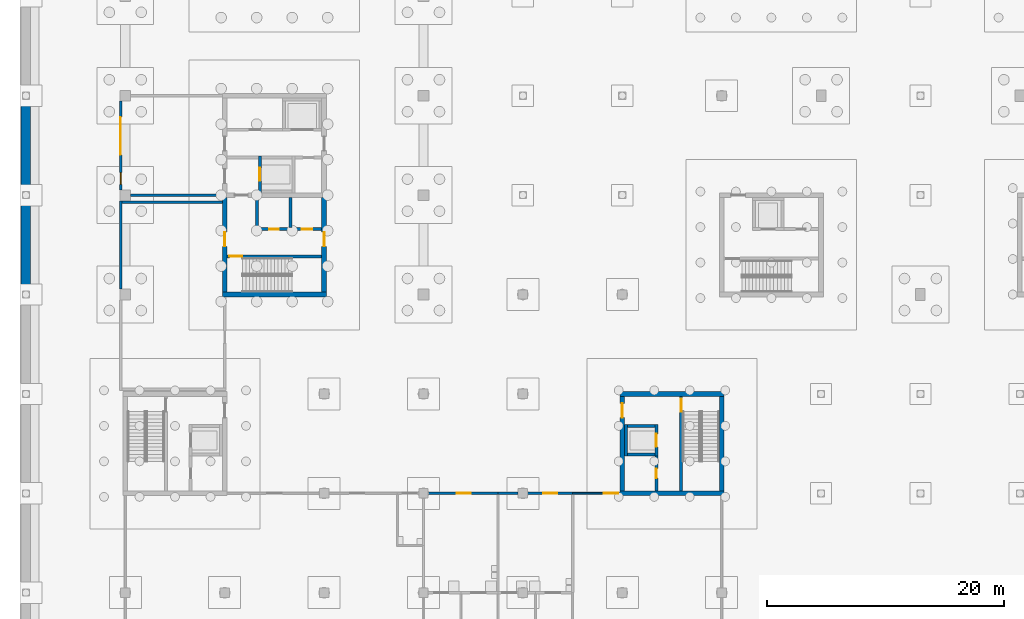
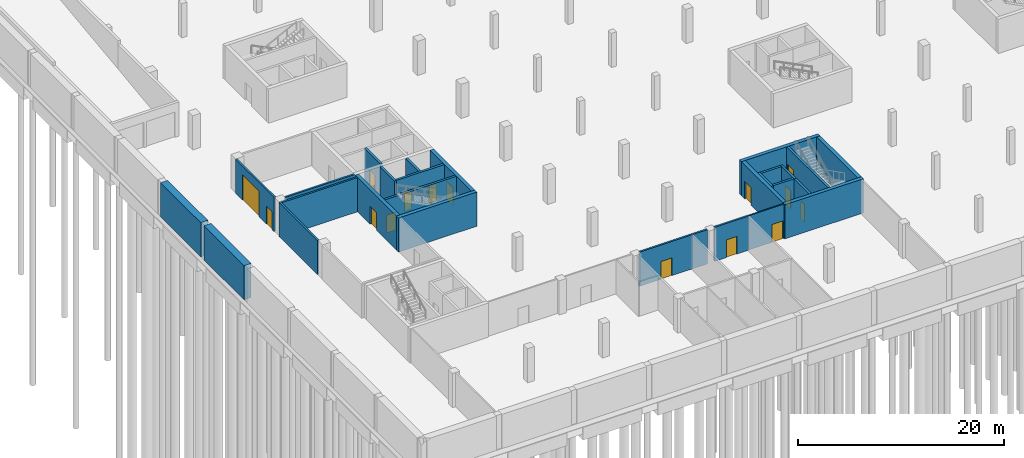
# One storey, part 9 of 23: 28 walls, 15 doors, 15 openings.
"""IFC4 building model written with IfcOpenShell, lengths in metres."""

from ifc_helpers import new_model, si_unit, direction, frame, frame_2d, origin, place, context, subcontext, project, spatial, rectangle, extrude, material, layer, layer_set, type_object, element, fill, save


model = new_model("IFC4")

# Units and contexts
model_context = context("Model", 3, precision=1e-05, world=origin(), true_north=direction((0.0, 1.0)))
body_context = subcontext(model_context, "Body", "Model", "MODEL_VIEW")
ifc_project = project(units=[si_unit("LENGTHUNIT", "METRE"), si_unit("AREAUNIT", "SQUARE_METRE"), si_unit("VOLUMEUNIT", "CUBIC_METRE"), si_unit("PLANEANGLEUNIT", "RADIAN"), si_unit("MASSUNIT", "GRAM", prefix="KILO")], contexts=[model_context])

# Site, building, storey
site_placement = place(None, origin())
site = spatial("IfcSite", under=ifc_project, at=site_placement, CompositionType="ELEMENT")
building_placement = place(site_placement, origin())
building = spatial("IfcBuilding", under=site, at=building_placement, Name="Hlaing Beacon Police Headquarters", CompositionType="ELEMENT")
storey_placement = place(building_placement, frame((0.0, 0.0, -4.5)))
storey = spatial("IfcBuildingStorey", under=building, at=storey_placement, Name="B1", CompositionType="ELEMENT", Elevation=-4.5)

# Wall, opening, door
ifc_material_1 = material(Name="Concrete blockwork 7.5 N/mm2", Category="masonry")
ifc_layer_1 = layer(ifc_material_1, 0.199951171875)
ifc_layer_set_1 = layer_set([ifc_layer_1], Name="Concrete blockwork 7.5 N/mm2")
wall_type_1 = type_object("IfcWallType", Name="Compartment wall EI 60 200", PredefinedType="PARTITIONING", material=ifc_layer_set_1)
wall_1_placement = place(storey_placement, frame((34.0, 16.800048828125, 0.0), z_axis=(0.0, 0.0, 1.0), x_axis=(1.0, 0.0, 0.0)))
wall_1 = element("IfcWall", 1, at=wall_1_placement, inside=storey, type_object=wall_type_1, Name="Compartment wall EI 60 200", PredefinedType="PARTITIONING", context=body_context, shape_type="SweptSolid", body=[
    extrude(rectangle(XDim=5.89990234375, YDim=0.199951171875, at=frame_2d((2.949951171875, 0.0))), origin(), (0.0, 0.0, 1.0), 4.050048828125),
])
opening_1_placement = place(wall_1_placement, frame((2.39990234375, 0.0, 0.0)))
opening_1 = element("IfcOpeningElement", 2, at=opening_1_placement, cuts=wall_1, Name="Opening B1-012", PredefinedType="OPENING", context=body_context, shape_type="SweptSolid", body=[
    extrude(rectangle(XDim=1.199951171875, YDim=2.10009765625, at=frame_2d((0.60009765625, 1.050048828125))), frame((0.0, 0.10986328125, 0.0), z_axis=(0.0, -1.0, 0.0), x_axis=(1.0, 0.0, 0.0)), (0.0, 0.0, 1.0), 0.219970703125),
])
ifc_material_2 = material(Name="Steel fire door leaf", Category="steel")
ifc_layer_2 = layer(ifc_material_2, 0.070068359375)
ifc_layer_set_2 = layer_set([ifc_layer_2], Name="Steel fire door leaf")
door_type_1 = type_object("IfcDoorType", Name="Steel plant door FD60 1200x2100", OperationType="SINGLE_SWING_LEFT", PredefinedType="DOOR", material=ifc_layer_set_2)
door_1_placement = place(opening_1_placement, frame((1.199951171875, 0.0, 0.0), z_axis=(0.0, 0.0, 1.0), x_axis=(-1.0, 0.0, 0.0)))
door_1 = element("IfcDoor", 3, at=door_1_placement, inside=storey, type_object=door_type_1, Name="Door Male Changing Room", OperationType="SINGLE_SWING_LEFT", OverallHeight=2.10009765625, OverallWidth=1.199951171875, PredefinedType="DOOR", context=body_context, shape_type="SweptSolid", body=[
    extrude(rectangle(XDim=1.199951171875, YDim=2.10009765625, at=frame_2d((0.599853515625, 1.050048828125))), frame((0.0, 0.034912109375, 0.0), z_axis=(0.0, -1.0, 0.0), x_axis=(1.0, 0.0, 0.0)), (0.0, 0.0, 1.0), 0.070068359375),
])
fill(opening_1, door_1)

# Wall
wall_2_placement = place(storey_placement, frame((39.89990234375, 16.800048828125, 0.0), z_axis=(0.0, 0.0, 1.0), x_axis=(1.0, 0.0, 0.0)))
element("IfcWall", 4, at=wall_2_placement, inside=storey, type_object=wall_type_1, Name="Compartment wall EI 60 200", PredefinedType="PARTITIONING", context=body_context, shape_type="SweptSolid", body=[
    extrude(rectangle(XDim=1.7001953125, YDim=0.199951171875, at=frame_2d((0.85009765625, 0.0))), origin(), (0.0, 0.0, 1.0), 4.050048828125),
])

# Wall, opening, door
wall_3_placement = place(storey_placement, frame((42.39990234375, 16.800048828125, 0.0), z_axis=(0.0, 0.0, 1.0), x_axis=(1.0, 0.0, 0.0)))
wall_3 = element("IfcWall", 5, at=wall_3_placement, inside=storey, type_object=wall_type_1, Name="Compartment wall EI 60 200", PredefinedType="PARTITIONING", context=body_context, shape_type="SweptSolid", body=[
    extrude(rectangle(XDim=3.800048828125, YDim=0.199951171875, at=frame_2d((1.89990234375, 0.0))), origin(), (0.0, 0.0, 1.0), 4.050048828125),
])
opening_2_placement = place(wall_3_placement, frame((1.300048828125, 0.0, 0.0)))
opening_2 = element("IfcOpeningElement", 6, at=opening_2_placement, cuts=wall_3, Name="Opening B1-015", PredefinedType="OPENING", context=body_context, shape_type="SweptSolid", body=[
    extrude(rectangle(XDim=1.199951171875, YDim=2.10009765625, at=frame_2d((0.60009765625, 1.050048828125))), frame((0.0, 0.10986328125, 0.0), z_axis=(0.0, -1.0, 0.0), x_axis=(1.0, 0.0, 0.0)), (0.0, 0.0, 1.0), 0.219970703125),
])
door_2_placement = place(opening_2_placement, frame((1.199951171875, 0.0, 0.0), z_axis=(0.0, 0.0, 1.0), x_axis=(-1.0, 0.0, 0.0)))
door_2 = element("IfcDoor", 7, at=door_2_placement, inside=storey, type_object=door_type_1, Name="Door Female Changing Room", OperationType="SINGLE_SWING_RIGHT", OverallHeight=2.10009765625, OverallWidth=1.199951171875, PredefinedType="DOOR", context=body_context, shape_type="SweptSolid", body=[
    extrude(rectangle(XDim=1.199951171875, YDim=2.10009765625, at=frame_2d((0.599853515625, 1.050048828125))), frame((0.0, 0.034912109375, 0.0), z_axis=(0.0, -1.0, 0.0), x_axis=(1.0, 0.0, 0.0)), (0.0, 0.0, 1.0), 0.070068359375),
])
fill(opening_2, door_2)

# Walls
ifc_material_3 = material(Name="Concrete C60/75", Category="concrete")
ifc_layer_3 = layer(ifc_material_3, 0.39990234375)
ifc_layer_set_3 = layer_set([ifc_layer_3], Name="Concrete C60/75")
wall_type_2 = type_object("IfcWallType", Name="Core shear wall 400", PredefinedType="SHEAR", material=ifc_layer_set_3)
for number, where, z_axis, x_axis, name in (
    (8, (50.199951171875, 16.800048828125, 0.0), (0.0, 0.0, 1.0), (1.0, 0.0, 0.0), "Core shear wall"),
    (9, (50.199951171875, 25.199951171875, 0.0), (0.0, 0.0, 1.0), (1.0, 0.0, 0.0), "Core shear wall"),
):
    element("IfcWall", number, at=place(storey_placement, frame(where, z_axis=z_axis, x_axis=x_axis)), inside=storey, type_object=wall_type_2, Name=name, PredefinedType="SHEAR", context=body_context, shape_type="SweptSolid", body=[
        extrude(rectangle(XDim=8.800048828125, YDim=0.39990234375, at=frame_2d((4.39990234375, 0.0))), origin(), (0.0, 0.0, 1.0), 4.050048828125),
    ])

# Wall, opening, door
wall_4_placement = place(storey_placement, frame((50.39990234375, 17.0, 0.0), z_axis=(0.0, 0.0, 1.0), x_axis=(0.0, 1.0, 0.0)))
wall_4 = element("IfcWall", 10, at=wall_4_placement, inside=storey, type_object=wall_type_2, Name="Core shear wall", PredefinedType="SHEAR", context=body_context, shape_type="SweptSolid", body=[
    extrude(rectangle(XDim=8.0, YDim=0.39990234375, at=frame_2d((4.0, 0.0))), origin(), (0.0, 0.0, 1.0), 4.050048828125),
])
opening_3_placement = place(wall_4_placement, frame((6.199951171875, 0.0, 0.0)))
opening_3 = element("IfcOpeningElement", 11, at=opening_3_placement, cuts=wall_4, Name="Opening B1-932", PredefinedType="OPENING", context=body_context, shape_type="SweptSolid", body=[
    extrude(rectangle(XDim=1.199951171875, YDim=2.10009765625, at=frame_2d((0.60009765625, 1.050048828125))), frame((0.0, 0.2099609375, 0.0), z_axis=(0.0, -1.0, 0.0), x_axis=(1.0, 0.0, 0.0)), (0.0, 0.0, 1.0), 0.419921875),
])
ifc_material_4 = material(Name="Steel fire door leaf", Category="steel")
ifc_layer_4 = layer(ifc_material_4, 0.070068359375)
ifc_layer_set_4 = layer_set([ifc_layer_4], Name="Steel fire door leaf")
door_type_2 = type_object("IfcDoorType", Name="Steel fire door FD60S 1200x2100", OperationType="SINGLE_SWING_LEFT", PredefinedType="DOOR", material=ifc_layer_set_4)
door_3_placement = place(opening_3_placement, frame((1.199951171875, 0.0, 0.0), z_axis=(0.0, 0.0, 1.0), x_axis=(-1.0, 0.0, 0.0)))
door_3 = element("IfcDoor", 12, at=door_3_placement, inside=storey, type_object=door_type_2, Name="Door Lift and Stair Lobby ST-K Entry", OperationType="SINGLE_SWING_LEFT", OverallHeight=2.10009765625, OverallWidth=1.199951171875, PredefinedType="DOOR", context=body_context, shape_type="SweptSolid", body=[
    extrude(rectangle(XDim=1.199951171875, YDim=2.10009765625, at=frame_2d((0.599853515625, 1.050048828125))), frame((0.0, 0.034912109375, 0.0), z_axis=(0.0, -1.0, 0.0), x_axis=(1.0, 0.0, 0.0)), (0.0, 0.0, 1.0), 0.070068359375),
])
fill(opening_3, door_3)

# Walls
wall_5_placement = place(storey_placement, frame((58.800048828125, 17.0, 0.0), z_axis=(0.0, 0.0, 1.0), x_axis=(0.0, 1.0, 0.0)))
element("IfcWall", 13, at=wall_5_placement, inside=storey, type_object=wall_type_2, Name="Core shear wall", PredefinedType="SHEAR", context=body_context, shape_type="SweptSolid", body=[
    extrude(rectangle(XDim=8.0, YDim=0.39990234375, at=frame_2d((4.0, 0.0))), origin(), (0.0, 0.0, 1.0), 4.050048828125),
])
wall_6_placement = place(storey_placement, frame((16.60009765625, 33.60009765625, 0.0), z_axis=(0.0, 0.0, 1.0), x_axis=(1.0, 0.0, 0.0)))
element("IfcWall", 14, at=wall_6_placement, inside=storey, type_object=wall_type_2, Name="Core shear wall", PredefinedType="SHEAR", context=body_context, shape_type="SweptSolid", body=[
    extrude(rectangle(XDim=8.7998046875, YDim=0.39990234375, at=frame_2d((4.39990234375, 0.0))), origin(), (0.0, 0.0, 1.0), 4.050048828125),
])

# Wall, opening, door
wall_7_placement = place(storey_placement, frame((16.800048828125, 33.800048828125, 0.0), z_axis=(0.0, 0.0, 1.0), x_axis=(0.0, 1.0, 0.0)))
wall_7 = element("IfcWall", 15, at=wall_7_placement, inside=storey, type_object=wall_type_2, Name="Core shear wall", PredefinedType="SHEAR", context=body_context, shape_type="SweptSolid", body=[
    extrude(rectangle(XDim=8.0, YDim=0.39990234375, at=frame_2d((4.0, 0.0))), origin(), (0.0, 0.0, 1.0), 4.050048828125),
])
opening_4_placement = place(wall_7_placement, frame((3.875, 0.0, 0.0)))
opening_4 = element("IfcOpeningElement", 16, at=opening_4_placement, cuts=wall_7, Name="Opening B1-962", PredefinedType="OPENING", context=body_context, shape_type="SweptSolid", body=[
    extrude(rectangle(XDim=1.199951171875, YDim=2.10009765625, at=frame_2d((0.60009765625, 1.050048828125))), frame((0.0, 0.2099609375, 0.0), z_axis=(0.0, -1.0, 0.0), x_axis=(1.0, 0.0, 0.0)), (0.0, 0.0, 1.0), 0.419921875),
])
door_4_placement = place(opening_4_placement, frame((1.199951171875, 0.0, 0.0), z_axis=(0.0, 0.0, 1.0), x_axis=(-1.0, 0.0, 0.0)))
door_4 = element("IfcDoor", 17, at=door_4_placement, inside=storey, type_object=door_type_2, Name="Door Stair Lobby ST-N Entry", OperationType="SINGLE_SWING_RIGHT", OverallHeight=2.10009765625, OverallWidth=1.199951171875, PredefinedType="DOOR", context=body_context, shape_type="SweptSolid", body=[
    extrude(rectangle(XDim=1.199951171875, YDim=2.10009765625, at=frame_2d((0.599853515625, 1.050048828125))), frame((0.0, 0.034912109375, 0.0), z_axis=(0.0, -1.0, 0.0), x_axis=(1.0, 0.0, 0.0)), (0.0, 0.0, 1.0), 0.070068359375),
])
fill(opening_4, door_4)

wall_8_placement = place(storey_placement, frame((25.199951171875, 33.800048828125, 0.0), z_axis=(0.0, 0.0, 1.0), x_axis=(0.0, 1.0, 0.0)))
wall_8 = element("IfcWall", 18, at=wall_8_placement, inside=storey, type_object=wall_type_2, Name="Core shear wall", PredefinedType="SHEAR", context=body_context, shape_type="SweptSolid", body=[
    extrude(rectangle(XDim=8.0, YDim=0.39990234375, at=frame_2d((4.0, 0.0))), origin(), (0.0, 0.0, 1.0), 4.050048828125),
])
opening_5_placement = place(wall_8_placement, frame((3.875, 0.0, 0.0)))
opening_5 = element("IfcOpeningElement", 19, at=opening_5_placement, cuts=wall_8, Name="Opening B1-963", PredefinedType="OPENING", context=body_context, shape_type="SweptSolid", body=[
    extrude(rectangle(XDim=1.199951171875, YDim=2.10009765625, at=frame_2d((0.60009765625, 1.050048828125))), frame((0.0, 0.2099609375, 0.0), z_axis=(0.0, -1.0, 0.0), x_axis=(1.0, 0.0, 0.0)), (0.0, 0.0, 1.0), 0.419921875),
])
door_5_placement = place(opening_5_placement, origin())
door_5 = element("IfcDoor", 20, at=door_5_placement, inside=storey, type_object=door_type_2, Name="Door Stair Lobby ST-N Entry", OperationType="SINGLE_SWING_LEFT", OverallHeight=2.10009765625, OverallWidth=1.199951171875, PredefinedType="DOOR", context=body_context, shape_type="SweptSolid", body=[
    extrude(rectangle(XDim=1.199951171875, YDim=2.10009765625, at=frame_2d((0.60009765625, 1.050048828125))), frame((0.0, 0.03515625, 0.0), z_axis=(0.0, -1.0, 0.0), x_axis=(1.0, 0.0, 0.0)), (0.0, 0.0, 1.0), 0.070068359375),
])
fill(opening_5, door_5)

ifc_material_5 = material(Name="Gypsum board partition")
ifc_layer_5 = layer(ifc_material_5, 0.14990234375)
ifc_layer_set_5 = layer_set([ifc_layer_5], Name="Gypsum board partition")
wall_type_3 = type_object("IfcWallType", Name="Corridor wall EI 30 150", PredefinedType="PARTITIONING", material=ifc_layer_set_5)
wall_9_placement = place(storey_placement, frame((46.199951171875, 16.800048828125, 0.0), z_axis=(0.0, 0.0, 1.0), x_axis=(1.0, 0.0, 0.0)))
wall_9 = element("IfcWall", 21, at=wall_9_placement, inside=storey, type_object=wall_type_3, Name="Corridor wall EI 30 150", PredefinedType="PARTITIONING", context=body_context, shape_type="SweptSolid", body=[
    extrude(rectangle(XDim=4.0, YDim=0.14990234375, at=frame_2d((2.0, 0.0))), origin(), (0.0, 0.0, 1.0), 4.050048828125),
])
opening_6_placement = place(wall_9_placement, frame((2.64990234375, 0.0, 0.0)))
opening_6 = element("IfcOpeningElement", 22, at=opening_6_placement, cuts=wall_9, Name="Opening B1-018", PredefinedType="OPENING", context=body_context, shape_type="SweptSolid", body=[
    extrude(rectangle(XDim=1.199951171875, YDim=2.10009765625, at=frame_2d((0.60009765625, 1.050048828125))), frame((0.0, 0.0849609375, 0.0), z_axis=(0.0, -1.0, 0.0), x_axis=(1.0, 0.0, 0.0)), (0.0, 0.0, 1.0), 0.169921875),
])
ifc_material_6 = material(Name="Steel fire door leaf", Category="steel")
ifc_layer_6 = layer(ifc_material_6, 0.06005859375)
ifc_layer_set_6 = layer_set([ifc_layer_6], Name="Steel fire door leaf")
door_type_3 = type_object("IfcDoorType", Name="Steel plant door FD30S 1200x2100", OperationType="SINGLE_SWING_LEFT", PredefinedType="DOOR", material=ifc_layer_set_6)
door_6_placement = place(opening_6_placement, frame((1.199951171875, 0.0, 0.0), z_axis=(0.0, 0.0, 1.0), x_axis=(-1.0, 0.0, 0.0)))
door_6 = element("IfcDoor", 23, at=door_6_placement, inside=storey, type_object=door_type_3, Name="Door Waste and Recycling Room", OperationType="SINGLE_SWING_RIGHT", OverallHeight=2.10009765625, OverallWidth=1.199951171875, PredefinedType="DOOR", context=body_context, shape_type="SweptSolid", body=[
    extrude(rectangle(XDim=1.199951171875, YDim=2.10009765625, at=frame_2d((0.599853515625, 1.050048828125))), frame((0.0, 0.030029296875, 0.0), z_axis=(0.0, -1.0, 0.0), x_axis=(1.0, 0.0, 0.0)), (0.0, 0.0, 1.0), 0.06005859375),
])
fill(opening_6, door_6)

# Wall, openings, doors
ifc_material_7 = material(Name="Concrete blockwork 7.5 N/mm2", Category="masonry")
ifc_layer_7 = layer(ifc_material_7, 0.199951171875)
ifc_layer_set_7 = layer_set([ifc_layer_7], Name="Concrete blockwork 7.5 N/mm2")
wall_type_4 = type_object("IfcWallType", Name="Evidence store wall EI 60 200", PredefinedType="PARTITIONING", material=ifc_layer_set_7)
wall_10_placement = place(storey_placement, frame((8.0, 42.449951171875, 0.0), z_axis=(0.0, 0.0, 1.0), x_axis=(0.0, 1.0, 0.0)))
wall_10 = element("IfcWall", 24, at=wall_10_placement, inside=storey, type_object=wall_type_4, Name="Evidence store wall EI 60 200", PredefinedType="PARTITIONING", context=body_context, shape_type="SweptSolid", body=[
    extrude(rectangle(XDim=7.5, YDim=0.199951171875, at=frame_2d((3.75, 0.0))), origin(), (0.0, 0.0, 1.0), 4.050048828125),
])
opening_7_placement = place(wall_10_placement, frame((0.449951171875, 0.0, 0.0)))
opening_7 = element("IfcOpeningElement", 25, at=opening_7_placement, cuts=wall_10, Name="Opening B1-019", PredefinedType="OPENING", context=body_context, shape_type="SweptSolid", body=[
    extrude(rectangle(XDim=1.0, YDim=2.10009765625, at=frame_2d((0.5, 1.050048828125))), frame((0.0, 0.10986328125, 0.0), z_axis=(0.0, -1.0, 0.0), x_axis=(1.0, 0.0, 0.0)), (0.0, 0.0, 1.0), 0.219970703125),
])
opening_8_placement = place(wall_10_placement, frame((2.949951171875, 0.0, 0.0)))
opening_8 = element("IfcOpeningElement", 26, at=opening_8_placement, cuts=wall_10, Name="Opening B1-026", PredefinedType="OPENING", context=body_context, shape_type="SweptSolid", body=[
    extrude(rectangle(XDim=3.199951171875, YDim=3.0, at=frame_2d((1.60009765625, 1.5))), frame((0.0, 0.10986328125, 0.0), z_axis=(0.0, -1.0, 0.0), x_axis=(1.0, 0.0, 0.0)), (0.0, 0.0, 1.0), 0.219970703125),
])
ifc_material_8 = material(Name="Steel security door leaf", Category="steel")
ifc_layer_8 = layer(ifc_material_8, 0.090087890625)
ifc_layer_set_8 = layer_set([ifc_layer_8], Name="Steel security door leaf")
door_type_4 = type_object("IfcDoorType", Name="Steel security door FD60 1000x2100", OperationType="SINGLE_SWING_LEFT", PredefinedType="DOOR", material=ifc_layer_set_8)
door_7_placement = place(opening_7_placement, frame((1.0, 0.0, 0.0), z_axis=(0.0, 0.0, 1.0), x_axis=(-1.0, 0.0, 0.0)))
door_7 = element("IfcDoor", 27, at=door_7_placement, inside=storey, type_object=door_type_4, Name="Door Evidence Vehicle Bay", OperationType="SINGLE_SWING_LEFT", OverallHeight=2.10009765625, OverallWidth=1.0, PredefinedType="DOOR", context=body_context, shape_type="SweptSolid", body=[
    extrude(rectangle(XDim=1.0, YDim=2.10009765625, at=frame_2d((0.5, 1.050048828125))), frame((0.0, 0.045166015625, 0.0), z_axis=(0.0, -1.0, 0.0), x_axis=(1.0, 0.0, 0.0)), (0.0, 0.0, 1.0), 0.090087890625),
])
fill(opening_7, door_7)
ifc_material_9 = material(Name="Galvanised steel gate", Category="steel")
door_type_5 = type_object("IfcDoorType", Name="Vehicle gate 3200x3000", OperationType="SLIDING_TO_LEFT", PredefinedType="GATE", material=ifc_material_9)
door_8_placement = place(opening_8_placement, origin())
door_8 = element("IfcDoor", 28, at=door_8_placement, inside=storey, type_object=door_type_5, Name="Vehicle gate Evidence Vehicle Bay", OperationType="SLIDING_TO_LEFT", OverallHeight=3.0, OverallWidth=3.199951171875, PredefinedType="GATE", context=body_context, shape_type="SweptSolid", body=[
    extrude(rectangle(XDim=3.199951171875, YDim=3.0, at=frame_2d((1.60009765625, 1.5))), frame((0.0, 0.02490234375, 0.0), z_axis=(0.0, -1.0, 0.0), x_axis=(1.0, 0.0, 0.0)), (0.0, 0.0, 1.0), 0.050048828125),
])
fill(opening_8, door_8)

# Walls
wall_11_placement = place(storey_placement, frame((8.85009765625, 42.0, 0.0), z_axis=(0.0, 0.0, 1.0), x_axis=(1.0, 0.0, 0.0)))
element("IfcWall", 29, at=wall_11_placement, inside=storey, type_object=wall_type_4, Name="Evidence store wall EI 60 200", PredefinedType="PARTITIONING", context=body_context, shape_type="SweptSolid", body=[
    extrude(rectangle(XDim=7.75, YDim=0.199951171875, at=frame_2d((3.875, 0.0))), origin(), (0.0, 0.0, 1.0), 4.050048828125),
])
wall_12_placement = place(storey_placement, frame((8.0, 34.050048828125, 0.0), z_axis=(0.0, 0.0, 1.0), x_axis=(0.0, 1.0, 0.0)))
element("IfcWall", 30, at=wall_12_placement, inside=storey, type_object=wall_type_4, Name="Evidence store wall EI 60 200", PredefinedType="PARTITIONING", context=body_context, shape_type="SweptSolid", body=[
    extrude(rectangle(XDim=7.449951171875, YDim=0.199951171875, at=frame_2d((3.72509765625, 0.0))), origin(), (0.0, 0.0, 1.0), 4.050048828125),
])
wall_13_placement = place(storey_placement, frame((8.10009765625, 41.39990234375, 0.0), z_axis=(0.0, 0.0, 1.0), x_axis=(1.0, 0.0, 0.0)))
element("IfcWall", 31, at=wall_13_placement, inside=storey, type_object=wall_type_4, Name="Evidence store wall EI 60 200", PredefinedType="PARTITIONING", context=body_context, shape_type="SweptSolid", body=[
    extrude(rectangle(XDim=8.5, YDim=0.199951171875, at=frame_2d((4.25, 0.0))), origin(), (0.0, 0.0, 1.0), 4.050048828125),
])
ifc_material_10 = material(Name="Concrete C50/60", Category="concrete")
ifc_layer_9 = layer(ifc_material_10, 0.800048828125)
ifc_layer_set_9 = layer_set([ifc_layer_9], Name="Concrete C50/60")
wall_type_5 = type_object("IfcWallType", Name="Retaining wall 800", PredefinedType="SOLIDWALL", material=ifc_layer_set_9)
for number, where, z_axis, x_axis, name in (
    (32, (0.0, 33.89990234375, 0.0), (0.0, 0.0, 1.0), (0.0, 1.0, 0.0), "STR-RW-B1-W05"),
    (33, (0.0, 42.300048828125, 0.0), (0.0, 0.0, 1.0), (0.0, 1.0, 0.0), "STR-RW-B1-W06"),
):
    element("IfcWall", number, at=place(storey_placement, frame(where, z_axis=z_axis, x_axis=x_axis)), inside=storey, type_object=wall_type_5, Name=name, PredefinedType="SOLIDWALL", context=body_context, shape_type="SweptSolid", body=[
        extrude(rectangle(XDim=7.800048828125, YDim=0.800048828125, at=frame_2d((3.89990234375, 0.0))), origin(), (0.0, 0.0, 1.0), 4.050048828125),
    ])

# Wall, opening, door
ifc_material_11 = material(Name="Concrete C40/50", Category="concrete")
ifc_layer_10 = layer(ifc_material_11, 0.25)
ifc_layer_set_10 = layer_set([ifc_layer_10], Name="Concrete C40/50")
wall_type_6 = type_object("IfcWallType", Name="Shaft wall 250", PredefinedType="SOLIDWALL", material=ifc_layer_set_10)
wall_14_placement = place(storey_placement, frame((55.375, 25.0, 0.0), z_axis=(0.0, 0.0, 1.0), x_axis=(0.0, -1.0, 0.0)))
wall_14 = element("IfcWall", 34, at=wall_14_placement, inside=storey, type_object=wall_type_6, Name="Stair enclosure wall", PredefinedType="SOLIDWALL", context=body_context, shape_type="SweptSolid", body=[
    extrude(rectangle(XDim=8.0, YDim=0.25, at=frame_2d((4.0, 0.0))), origin(), (0.0, 0.0, 1.0), 4.050048828125),
])
opening_9_placement = place(wall_14_placement, frame((0.199951171875, 0.0, 0.0)))
opening_9 = element("IfcOpeningElement", 35, at=opening_9_placement, cuts=wall_14, Name="Opening B1-934", PredefinedType="OPENING", context=body_context, shape_type="SweptSolid", body=[
    extrude(rectangle(XDim=1.10009765625, YDim=2.10009765625, at=frame_2d((0.550048828125, 1.050048828125))), frame((0.0, 0.135009765625, 0.0), z_axis=(0.0, -1.0, 0.0), x_axis=(1.0, 0.0, 0.0)), (0.0, 0.0, 1.0), 0.27001953125),
])
ifc_material_12 = material(Name="Steel fire door leaf", Category="steel")
ifc_layer_11 = layer(ifc_material_12, 0.070068359375)
ifc_layer_set_11 = layer_set([ifc_layer_11], Name="Steel fire door leaf")
door_type_6 = type_object("IfcDoorType", Name="Steel fire door FD60 1100x2100", OperationType="SINGLE_SWING_LEFT", PredefinedType="DOOR", material=ifc_layer_set_11)
door_9_placement = place(opening_9_placement, origin())
door_9 = element("IfcDoor", 36, at=door_9_placement, inside=storey, type_object=door_type_6, Name="Door Stair ST-K", OperationType="SINGLE_SWING_RIGHT", OverallHeight=2.10009765625, OverallWidth=1.10009765625, PredefinedType="DOOR", context=body_context, shape_type="SweptSolid", body=[
    extrude(rectangle(XDim=1.10009765625, YDim=2.10009765625, at=frame_2d((0.550048828125, 1.050048828125))), frame((0.0, 0.03515625, 0.0), z_axis=(0.0, -1.0, 0.0), x_axis=(1.0, 0.0, 0.0)), (0.0, 0.0, 1.0), 0.070068359375),
])
fill(opening_9, door_9)

wall_15_placement = place(storey_placement, frame((53.27490234375, 19.949951171875, 0.0), z_axis=(0.0, 0.0, 1.0), x_axis=(0.0, -1.0, 0.0)))
wall_15 = element("IfcWall", 37, at=wall_15_placement, inside=storey, type_object=wall_type_6, Name="Lobby wall", PredefinedType="SOLIDWALL", context=body_context, shape_type="SweptSolid", body=[
    extrude(rectangle(XDim=2.949951171875, YDim=0.25, at=frame_2d((1.47509765625, 0.0))), origin(), (0.0, 0.0, 1.0), 4.050048828125),
])
opening_10_placement = place(wall_15_placement, frame((1.074951171875, 0.0, 0.0)))
opening_10 = element("IfcOpeningElement", 38, at=opening_10_placement, cuts=wall_15, Name="Opening B1-933", PredefinedType="OPENING", context=body_context, shape_type="SweptSolid", body=[
    extrude(rectangle(XDim=0.800048828125, YDim=2.10009765625, at=frame_2d((0.39990234375, 1.050048828125))), frame((0.0, 0.135009765625, 0.0), z_axis=(0.0, -1.0, 0.0), x_axis=(1.0, 0.0, 0.0)), (0.0, 0.0, 1.0), 0.27001953125),
])
ifc_material_13 = material(Name="Steel fire door leaf", Category="steel")
ifc_layer_12 = layer(ifc_material_13, 0.070068359375)
ifc_layer_set_12 = layer_set([ifc_layer_12], Name="Steel fire door leaf")
door_type_7 = type_object("IfcDoorType", Name="Steel fire door FD60 800x2100", OperationType="SINGLE_SWING_LEFT", PredefinedType="DOOR", material=ifc_layer_set_12)
door_10_placement = place(opening_10_placement, frame((0.800048828125, 0.0, 0.0), z_axis=(0.0, 0.0, 1.0), x_axis=(-1.0, 0.0, 0.0)))
door_10 = element("IfcDoor", 39, at=door_10_placement, inside=storey, type_object=door_type_7, Name="Door Services Riser", OperationType="SINGLE_SWING_RIGHT", OverallHeight=2.10009765625, OverallWidth=0.800048828125, PredefinedType="DOOR", context=body_context, shape_type="SweptSolid", body=[
    extrude(rectangle(XDim=0.800048828125, YDim=2.10009765625, at=frame_2d((0.400146484375, 1.050048828125))), frame((0.0, 0.034912109375, 0.0), z_axis=(0.0, -1.0, 0.0), x_axis=(1.0, 0.0, 0.0)), (0.0, 0.0, 1.0), 0.070068359375),
])
fill(opening_10, door_10)

wall_16_placement = place(storey_placement, frame((17.0, 36.824951171875, 0.0), z_axis=(0.0, 0.0, 1.0), x_axis=(1.0, 0.0, 0.0)))
wall_16 = element("IfcWall", 40, at=wall_16_placement, inside=storey, type_object=wall_type_6, Name="Stair enclosure wall", PredefinedType="SOLIDWALL", context=body_context, shape_type="SweptSolid", body=[
    extrude(rectangle(XDim=8.0, YDim=0.25, at=frame_2d((4.0, 0.0))), origin(), (0.0, 0.0, 1.0), 4.050048828125),
])
opening_11_placement = place(wall_16_placement, frame((0.199951171875, 0.0, 0.0)))
opening_11 = element("IfcOpeningElement", 41, at=opening_11_placement, cuts=wall_16, Name="Opening B1-965", PredefinedType="OPENING", context=body_context, shape_type="SweptSolid", body=[
    extrude(rectangle(XDim=1.10009765625, YDim=2.10009765625, at=frame_2d((0.550048828125, 1.050048828125))), frame((0.0, 0.135009765625, 0.0), z_axis=(0.0, -1.0, 0.0), x_axis=(1.0, 0.0, 0.0)), (0.0, 0.0, 1.0), 0.27001953125),
])
door_11_placement = place(opening_11_placement, frame((1.10009765625, 0.0, 0.0), z_axis=(0.0, 0.0, 1.0), x_axis=(-1.0, 0.0, 0.0)))
door_11 = element("IfcDoor", 42, at=door_11_placement, inside=storey, type_object=door_type_6, Name="Door Stair ST-N", OperationType="SINGLE_SWING_LEFT", OverallHeight=2.10009765625, OverallWidth=1.10009765625, PredefinedType="DOOR", context=body_context, shape_type="SweptSolid", body=[
    extrude(rectangle(XDim=1.10009765625, YDim=2.10009765625, at=frame_2d((0.550048828125, 1.050048828125))), frame((0.0, 0.034912109375, 0.0), z_axis=(0.0, -1.0, 0.0), x_axis=(1.0, 0.0, 0.0)), (0.0, 0.0, 1.0), 0.070068359375),
])
fill(opening_11, door_11)

# Wall
wall_17_placement = place(storey_placement, frame((19.52490234375, 39.0, 0.0), z_axis=(0.0, 0.0, 1.0), x_axis=(0.0, 1.0, 0.0)))
element("IfcWall", 43, at=wall_17_placement, inside=storey, type_object=wall_type_6, Name="Lobby wall", PredefinedType="SOLIDWALL", context=body_context, shape_type="SweptSolid", body=[
    extrude(rectangle(XDim=2.800048828125, YDim=0.25, at=frame_2d((1.39990234375, 0.0))), origin(), (0.0, 0.0, 1.0), 4.050048828125),
])

# Wall, openings, doors
wall_18_placement = place(storey_placement, frame((19.64990234375, 39.125, 0.0), z_axis=(0.0, 0.0, 1.0), x_axis=(1.0, 0.0, 0.0)))
wall_18 = element("IfcWall", 44, at=wall_18_placement, inside=storey, type_object=wall_type_6, Name="Lobby wall", PredefinedType="SOLIDWALL", context=body_context, shape_type="SweptSolid", body=[
    extrude(rectangle(XDim=5.35009765625, YDim=0.25, at=frame_2d((2.675048828125, 0.0))), origin(), (0.0, 0.0, 1.0), 4.050048828125),
])
opening_12_placement = place(wall_18_placement, frame((3.64990234375, 0.0, 0.0)))
opening_12 = element("IfcOpeningElement", 45, at=opening_12_placement, cuts=wall_18, Name="Opening B1-961", PredefinedType="OPENING", context=body_context, shape_type="SweptSolid", body=[
    extrude(rectangle(XDim=0.89990234375, YDim=2.10009765625, at=frame_2d((0.449951171875, 1.050048828125))), frame((0.0, 0.135009765625, 0.0), z_axis=(0.0, -1.0, 0.0), x_axis=(1.0, 0.0, 0.0)), (0.0, 0.0, 1.0), 0.27001953125),
])
opening_13_placement = place(wall_18_placement, frame((0.89990234375, 0.0, 0.0)))
opening_13 = element("IfcOpeningElement", 46, at=opening_13_placement, cuts=wall_18, Name="Opening B1-964", PredefinedType="OPENING", context=body_context, shape_type="SweptSolid", body=[
    extrude(rectangle(XDim=0.800048828125, YDim=2.10009765625, at=frame_2d((0.39990234375, 1.050048828125))), frame((0.0, 0.135009765625, 0.0), z_axis=(0.0, -1.0, 0.0), x_axis=(1.0, 0.0, 0.0)), (0.0, 0.0, 1.0), 0.27001953125),
])
door_12_placement = place(opening_13_placement, origin())
door_12 = element("IfcDoor", 47, at=door_12_placement, inside=storey, type_object=door_type_7, Name="Door Services Riser", OperationType="SINGLE_SWING_RIGHT", OverallHeight=2.10009765625, OverallWidth=0.800048828125, PredefinedType="DOOR", context=body_context, shape_type="SweptSolid", body=[
    extrude(rectangle(XDim=0.800048828125, YDim=2.10009765625, at=frame_2d((0.39990234375, 1.050048828125))), frame((0.0, 0.03515625, 0.0), z_axis=(0.0, -1.0, 0.0), x_axis=(1.0, 0.0, 0.0)), (0.0, 0.0, 1.0), 0.070068359375),
])
fill(opening_13, door_12)
ifc_material_14 = material(Name="Steel fire door leaf", Category="steel")
ifc_layer_13 = layer(ifc_material_14, 0.070068359375)
ifc_layer_set_13 = layer_set([ifc_layer_13], Name="Steel fire door leaf")
door_type_8 = type_object("IfcDoorType", Name="Steel fire door FD60 900x2100", OperationType="SINGLE_SWING_LEFT", PredefinedType="DOOR", material=ifc_layer_set_13)
door_13_placement = place(opening_12_placement, origin())
door_13 = element("IfcDoor", 48, at=door_13_placement, inside=storey, type_object=door_type_8, Name="Door Cleaners' Store", OperationType="SINGLE_SWING_LEFT", OverallHeight=2.10009765625, OverallWidth=0.89990234375, PredefinedType="DOOR", context=body_context, shape_type="SweptSolid", body=[
    extrude(rectangle(XDim=0.89990234375, YDim=2.10009765625, at=frame_2d((0.449951171875, 1.050048828125))), frame((0.0, 0.03515625, 0.0), z_axis=(0.0, -1.0, 0.0), x_axis=(1.0, 0.0, 0.0)), (0.0, 0.0, 1.0), 0.070068359375),
])
fill(opening_12, door_13)

# Wall
wall_19_placement = place(storey_placement, frame((22.375, 39.25, 0.0), z_axis=(0.0, 0.0, 1.0), x_axis=(0.0, 1.0, 0.0)))
element("IfcWall", 49, at=wall_19_placement, inside=storey, type_object=wall_type_6, Name="Riser wall", PredefinedType="SOLIDWALL", context=body_context, shape_type="SweptSolid", body=[
    extrude(rectangle(XDim=2.550048828125, YDim=0.25, at=frame_2d((1.27490234375, 0.0))), origin(), (0.0, 0.0, 1.0), 4.050048828125),
])

# Wall, opening, door
wall_20_placement = place(storey_placement, frame((19.77490234375, 42.199951171875, 0.0), z_axis=(0.0, 0.0, 1.0), x_axis=(0.0, 1.0, 0.0)))
wall_20 = element("IfcWall", 50, at=wall_20_placement, inside=storey, type_object=wall_type_6, Name="Lift shaft wall FL2", PredefinedType="SOLIDWALL", context=body_context, shape_type="SweptSolid", body=[
    extrude(rectangle(XDim=3.10009765625, YDim=0.25, at=frame_2d((1.550048828125, 0.0))), origin(), (0.0, 0.0, 1.0), 4.050048828125),
])
opening_14_placement = place(wall_20_placement, frame((1.0, 0.0, 0.0)))
opening_14 = element("IfcOpeningElement", 51, at=opening_14_placement, cuts=wall_20, Name="Opening LD-FL2-B1", PredefinedType="OPENING", context=body_context, shape_type="SweptSolid", body=[
    extrude(rectangle(XDim=1.10009765625, YDim=2.10009765625, at=frame_2d((0.550048828125, 1.050048828125))), frame((0.0, 0.135009765625, 0.0), z_axis=(0.0, -1.0, 0.0), x_axis=(1.0, 0.0, 0.0)), (0.0, 0.0, 1.0), 0.27001953125),
])
ifc_material_15 = material(Name="Stainless steel lift landing door", Category="steel")
ifc_layer_14 = layer(ifc_material_15, 0.06005859375)
ifc_layer_set_14 = layer_set([ifc_layer_14], Name="Stainless steel lift landing door")
door_type_9 = type_object("IfcDoorType", Name="Lift landing door 1100x2100", OperationType="DOUBLE_DOOR_SLIDING", PredefinedType="DOOR", material=ifc_layer_set_14)
door_14_placement = place(opening_14_placement, origin())
door_14 = element("IfcDoor", 52, at=door_14_placement, inside=storey, type_object=door_type_9, Name="Landing door FL2 B1", OperationType="DOUBLE_DOOR_SLIDING", OverallHeight=2.10009765625, OverallWidth=1.10009765625, PredefinedType="DOOR", context=body_context, shape_type="SweptSolid", body=[
    extrude(rectangle(XDim=1.10009765625, YDim=2.10009765625, at=frame_2d((0.550048828125, 1.050048828125))), frame((0.0, 0.0400390625, 0.0), z_axis=(0.0, -1.0, 0.0), x_axis=(1.0, 0.0, 0.0)), (0.0, 0.0, 1.0), 0.080078125),
])
fill(opening_14, door_14)

wall_21_placement = place(storey_placement, frame((53.27490234375, 19.949951171875, 0.0), z_axis=(0.0, 0.0, 1.0), x_axis=(0.0, 1.0, 0.0)))
wall_21 = element("IfcWall", 53, at=wall_21_placement, inside=storey, type_object=wall_type_6, Name="Lift shaft wall PL6", PredefinedType="SOLIDWALL", context=body_context, shape_type="SweptSolid", body=[
    extrude(rectangle(XDim=2.650146484375, YDim=0.25, at=frame_2d((1.3251953125, 0.0))), origin(), (0.0, 0.0, 1.0), 4.050048828125),
])
opening_15_placement = place(wall_21_placement, frame((0.77490234375, 0.0, 0.0)))
opening_15 = element("IfcOpeningElement", 54, at=opening_15_placement, cuts=wall_21, Name="Opening LD-PL6-B1", PredefinedType="OPENING", context=body_context, shape_type="SweptSolid", body=[
    extrude(rectangle(XDim=1.10009765625, YDim=2.10009765625, at=frame_2d((0.550048828125, 1.050048828125))), frame((0.0, 0.135009765625, 0.0), z_axis=(0.0, -1.0, 0.0), x_axis=(1.0, 0.0, 0.0)), (0.0, 0.0, 1.0), 0.27001953125),
])
door_15_placement = place(opening_15_placement, origin())
door_15 = element("IfcDoor", 55, at=door_15_placement, inside=storey, type_object=door_type_9, Name="Landing door PL6 B1", OperationType="DOUBLE_DOOR_SLIDING", OverallHeight=2.10009765625, OverallWidth=1.10009765625, PredefinedType="DOOR", context=body_context, shape_type="SweptSolid", body=[
    extrude(rectangle(XDim=1.10009765625, YDim=2.10009765625, at=frame_2d((0.550048828125, 1.050048828125))), frame((0.0, 0.0400390625, 0.0), z_axis=(0.0, -1.0, 0.0), x_axis=(1.0, 0.0, 0.0)), (0.0, 0.0, 1.0), 0.080078125),
])
fill(opening_15, door_15)

# Walls
for number, where, z_axis, x_axis, name in (
    (56, (50.85009765625, 22.47509765625, 0.0), (0.0, 0.0, 1.0), (1.0, 0.0, 0.0), "Lift shaft wall PL6"),
    (57, (50.85009765625, 20.074951171875, 0.0), (0.0, 0.0, 1.0), (1.0, 0.0, 0.0), "Lift shaft wall PL6"),
):
    element("IfcWall", number, at=place(storey_placement, frame(where, z_axis=z_axis, x_axis=x_axis)), inside=storey, type_object=wall_type_6, Name=name, PredefinedType="SOLIDWALL", context=body_context, shape_type="SweptSolid", body=[
        extrude(rectangle(XDim=2.2998046875, YDim=0.25, at=frame_2d((1.14990234375, 0.0))), origin(), (0.0, 0.0, 1.0), 4.050048828125),
    ])
wall_22_placement = place(storey_placement, frame((50.72509765625, 19.949951171875, 0.0), z_axis=(0.0, 0.0, 1.0), x_axis=(0.0, 1.0, 0.0)))
element("IfcWall", 58, at=wall_22_placement, inside=storey, type_object=wall_type_6, Name="Lift shaft wall PL6", PredefinedType="SOLIDWALL", context=body_context, shape_type="SweptSolid", body=[
    extrude(rectangle(XDim=2.650146484375, YDim=0.25, at=frame_2d((1.3251953125, 0.0))), origin(), (0.0, 0.0, 1.0), 4.050048828125),
])

save(model, "model.ifc")
